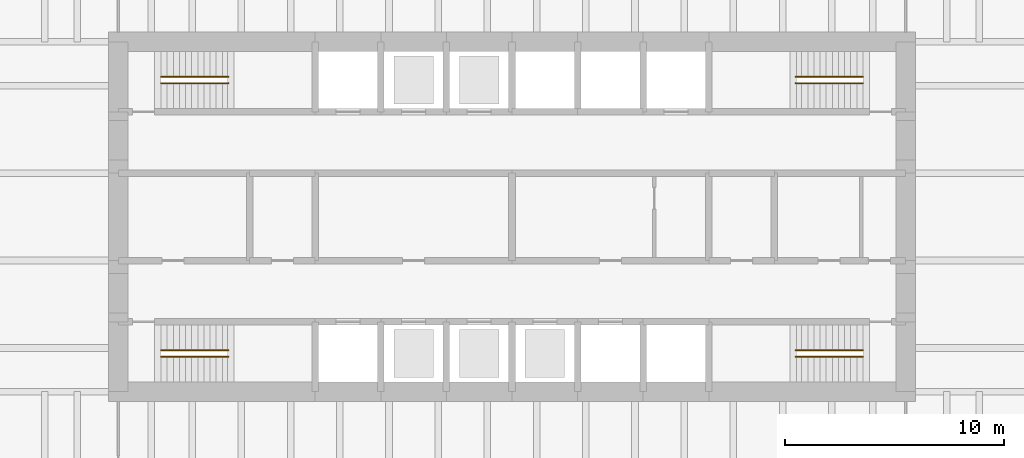
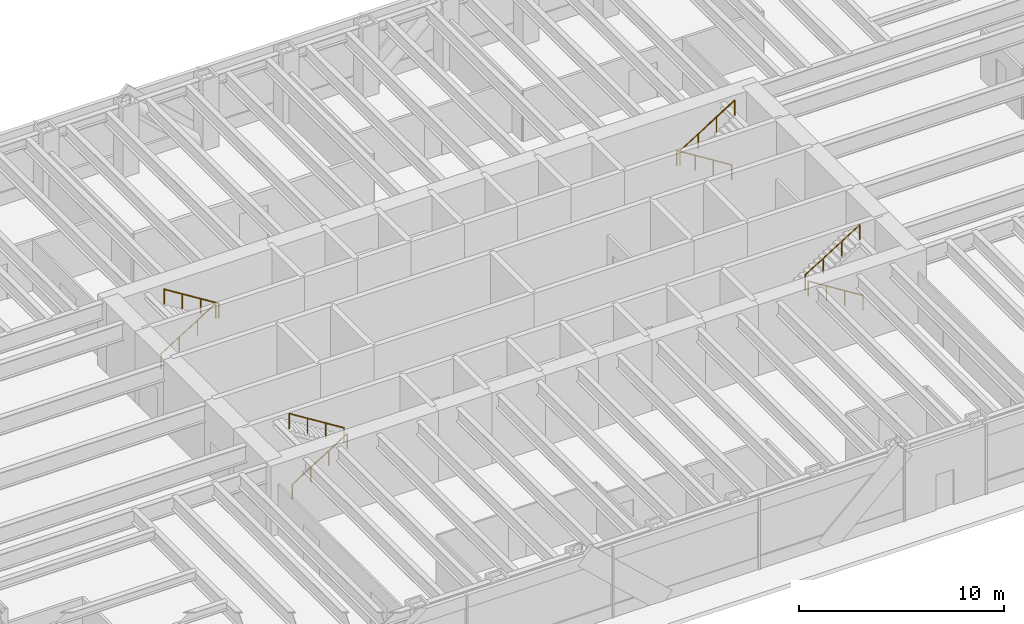
# One storey, part 13 of 14: 8 railings.
"""IFC4 building model written with IfcOpenShell, lengths in metres."""

from ifc_helpers import new_model, si_unit, direction, frame, origin, origin_2d, place, context, subcontext, project, spatial, circle, extrude, material, type_object, element, save


model = new_model("IFC4")

# Units and contexts
model_context = context("Model", 3, precision=1e-05, world=origin(), true_north=direction((0.0, 1.0)))
body_context = subcontext(model_context, "Body", "Model", "MODEL_VIEW")
ifc_project = project(units=[si_unit("LENGTHUNIT", "METRE"), si_unit("AREAUNIT", "SQUARE_METRE"), si_unit("VOLUMEUNIT", "CUBIC_METRE"), si_unit("PLANEANGLEUNIT", "RADIAN"), si_unit("MASSUNIT", "GRAM", prefix="KILO")], contexts=[model_context])

# Site, building, storey
site_placement = place(None, origin())
site = spatial("IfcSite", under=ifc_project, at=site_placement, CompositionType="ELEMENT")
building_placement = place(site_placement, origin())
building = spatial("IfcBuilding", under=site, at=building_placement, Name="Rheinbord Bourse Tower", CompositionType="ELEMENT")
storey_placement = place(building_placement, frame((0.0, 0.0, 100.5)))
storey = spatial("IfcBuildingStorey", under=building, at=storey_placement, Name="L21", CompositionType="ELEMENT", Elevation=100.5)

# Railings
ifc_material = material(Name="Steel handrail", Category="steel")
railing_type = type_object("IfcRailingType", Name="HANDRAIL 900", PredefinedType="HANDRAIL", material=ifc_material)
railing_1_placement = place(storey_placement, frame((19.949951171875, 17.60009765625, 0.175048828125)))
element("IfcRailing", 1, at=railing_1_placement, inside=storey, type_object=railing_type, Name="Handrail", PredefinedType="HANDRAIL", context=body_context, shape_type="SweptSolid", body=[
    extrude(circle(Radius=0.02392578125, at=origin_2d()), frame((0.0, 0.0, 0.8759765625), z_axis=(0.847998304005, 0.0, 0.529998940003), x_axis=(0.0, 1.0, 0.0)), (0.0, 0.0, 1.0), 3.632080078125),
    extrude(circle(Radius=0.02099609375, at=origin_2d()), origin(), (0.0, 0.0, 1.0), 0.851806640625),
    extrude(circle(Radius=0.02099609375, at=origin_2d()), frame((1.026611328125, 0.0, 0.6416015625)), (0.0, 0.0, 1.0), 0.851806640625),
    extrude(circle(Radius=0.02099609375, at=origin_2d()), frame((2.053466796875, 0.0, 1.283447265625)), (0.0, 0.0, 1.0), 0.851806640625),
    extrude(circle(Radius=0.02099609375, at=origin_2d()), frame((3.080078125, 0.0, 1.925048828125)), (0.0, 0.0, 1.0), 0.851806640625),
])
railing_2_placement = place(storey_placement, frame((23.030029296875, 17.89990234375, 2.27490234375)))
element("IfcRailing", 2, at=railing_2_placement, inside=storey, type_object=railing_type, Name="Handrail", PredefinedType="HANDRAIL", context=body_context, shape_type="SweptSolid", body=[
    extrude(circle(Radius=0.02392578125, at=origin_2d()), frame((0.0, 0.0, 0.8759765625), z_axis=(-0.847998304005, 0.0, 0.529998940003), x_axis=(0.0, -1.0, 0.0)), (0.0, 0.0, 1.0), 3.632080078125),
    extrude(circle(Radius=0.02099609375, at=origin_2d()), origin(), (0.0, 0.0, 1.0), 0.851806640625),
    extrude(circle(Radius=0.02099609375, at=origin_2d()), frame((-1.026611328125, 0.0, 0.6416015625)), (0.0, 0.0, 1.0), 0.851806640625),
    extrude(circle(Radius=0.02099609375, at=origin_2d()), frame((-2.053466796875, 0.0, 1.283447265625)), (0.0, 0.0, 1.0), 0.851806640625),
    extrude(circle(Radius=0.02099609375, at=origin_2d()), frame((-3.080078125, 0.0, 1.925048828125)), (0.0, 0.0, 1.0), 0.851806640625),
])
railing_3_placement = place(storey_placement, frame((19.949951171875, 30.39990234375, 0.175048828125)))
element("IfcRailing", 3, at=railing_3_placement, inside=storey, type_object=railing_type, Name="Handrail", PredefinedType="HANDRAIL", context=body_context, shape_type="SweptSolid", body=[
    extrude(circle(Radius=0.02392578125, at=origin_2d()), frame((0.0, 0.0, 0.8759765625), z_axis=(0.847998304005, 0.0, 0.529998940003), x_axis=(0.0, 1.0, 0.0)), (0.0, 0.0, 1.0), 3.632080078125),
    extrude(circle(Radius=0.02099609375, at=origin_2d()), origin(), (0.0, 0.0, 1.0), 0.851806640625),
    extrude(circle(Radius=0.02099609375, at=origin_2d()), frame((1.026611328125, 0.0, 0.6416015625)), (0.0, 0.0, 1.0), 0.851806640625),
    extrude(circle(Radius=0.02099609375, at=origin_2d()), frame((2.053466796875, 0.0, 1.283447265625)), (0.0, 0.0, 1.0), 0.851806640625),
    extrude(circle(Radius=0.02099609375, at=origin_2d()), frame((3.080078125, 0.0, 1.925048828125)), (0.0, 0.0, 1.0), 0.851806640625),
])
for number, where, name in (
    (4, (23.030029296875, 30.10009765625, 2.27490234375), "Handrail"),
    (5, (52.050048828125, 17.60009765625, 0.175048828125), "Handrail"),
):
    element("IfcRailing", number, at=place(storey_placement, frame(where)), inside=storey, type_object=railing_type, Name=name, PredefinedType="HANDRAIL", context=body_context, shape_type="SweptSolid", body=[
        extrude(circle(Radius=0.02392578125, at=origin_2d()), frame((0.0, 0.0, 0.8759765625), z_axis=(-0.847998304005, 0.0, 0.529998940003), x_axis=(0.0, -1.0, 0.0)), (0.0, 0.0, 1.0), 3.632080078125),
        extrude(circle(Radius=0.02099609375, at=origin_2d()), origin(), (0.0, 0.0, 1.0), 0.851806640625),
        extrude(circle(Radius=0.02099609375, at=origin_2d()), frame((-1.026611328125, 0.0, 0.6416015625)), (0.0, 0.0, 1.0), 0.851806640625),
        extrude(circle(Radius=0.02099609375, at=origin_2d()), frame((-2.053466796875, 0.0, 1.283447265625)), (0.0, 0.0, 1.0), 0.851806640625),
        extrude(circle(Radius=0.02099609375, at=origin_2d()), frame((-3.080078125, 0.0, 1.925048828125)), (0.0, 0.0, 1.0), 0.851806640625),
    ])
railing_4_placement = place(storey_placement, frame((48.969970703125, 17.89990234375, 2.27490234375)))
element("IfcRailing", 6, at=railing_4_placement, inside=storey, type_object=railing_type, Name="Handrail", PredefinedType="HANDRAIL", context=body_context, shape_type="SweptSolid", body=[
    extrude(circle(Radius=0.02392578125, at=origin_2d()), frame((0.0, 0.0, 0.8759765625), z_axis=(0.847998304005, 0.0, 0.529998940003), x_axis=(0.0, 1.0, 0.0)), (0.0, 0.0, 1.0), 3.632080078125),
    extrude(circle(Radius=0.02099609375, at=origin_2d()), origin(), (0.0, 0.0, 1.0), 0.851806640625),
    extrude(circle(Radius=0.02099609375, at=origin_2d()), frame((1.026611328125, 0.0, 0.6416015625)), (0.0, 0.0, 1.0), 0.851806640625),
    extrude(circle(Radius=0.02099609375, at=origin_2d()), frame((2.053466796875, 0.0, 1.283447265625)), (0.0, 0.0, 1.0), 0.851806640625),
    extrude(circle(Radius=0.02099609375, at=origin_2d()), frame((3.080078125, 0.0, 1.925048828125)), (0.0, 0.0, 1.0), 0.851806640625),
])
railing_5_placement = place(storey_placement, frame((52.050048828125, 30.39990234375, 0.175048828125)))
element("IfcRailing", 7, at=railing_5_placement, inside=storey, type_object=railing_type, Name="Handrail", PredefinedType="HANDRAIL", context=body_context, shape_type="SweptSolid", body=[
    extrude(circle(Radius=0.02392578125, at=origin_2d()), frame((0.0, 0.0, 0.8759765625), z_axis=(-0.847998304005, 0.0, 0.529998940003), x_axis=(0.0, -1.0, 0.0)), (0.0, 0.0, 1.0), 3.632080078125),
    extrude(circle(Radius=0.02099609375, at=origin_2d()), origin(), (0.0, 0.0, 1.0), 0.851806640625),
    extrude(circle(Radius=0.02099609375, at=origin_2d()), frame((-1.026611328125, 0.0, 0.6416015625)), (0.0, 0.0, 1.0), 0.851806640625),
    extrude(circle(Radius=0.02099609375, at=origin_2d()), frame((-2.053466796875, 0.0, 1.283447265625)), (0.0, 0.0, 1.0), 0.851806640625),
    extrude(circle(Radius=0.02099609375, at=origin_2d()), frame((-3.080078125, 0.0, 1.925048828125)), (0.0, 0.0, 1.0), 0.851806640625),
])
railing_6_placement = place(storey_placement, frame((48.969970703125, 30.10009765625, 2.27490234375)))
element("IfcRailing", 8, at=railing_6_placement, inside=storey, type_object=railing_type, Name="Handrail", PredefinedType="HANDRAIL", context=body_context, shape_type="SweptSolid", body=[
    extrude(circle(Radius=0.02392578125, at=origin_2d()), frame((0.0, 0.0, 0.8759765625), z_axis=(0.847998304005, 0.0, 0.529998940003), x_axis=(0.0, 1.0, 0.0)), (0.0, 0.0, 1.0), 3.632080078125),
    extrude(circle(Radius=0.02099609375, at=origin_2d()), origin(), (0.0, 0.0, 1.0), 0.851806640625),
    extrude(circle(Radius=0.02099609375, at=origin_2d()), frame((1.026611328125, 0.0, 0.6416015625)), (0.0, 0.0, 1.0), 0.851806640625),
    extrude(circle(Radius=0.02099609375, at=origin_2d()), frame((2.053466796875, 0.0, 1.283447265625)), (0.0, 0.0, 1.0), 0.851806640625),
    extrude(circle(Radius=0.02099609375, at=origin_2d()), frame((3.080078125, 0.0, 1.925048828125)), (0.0, 0.0, 1.0), 0.851806640625),
])

save(model, "model.ifc")
